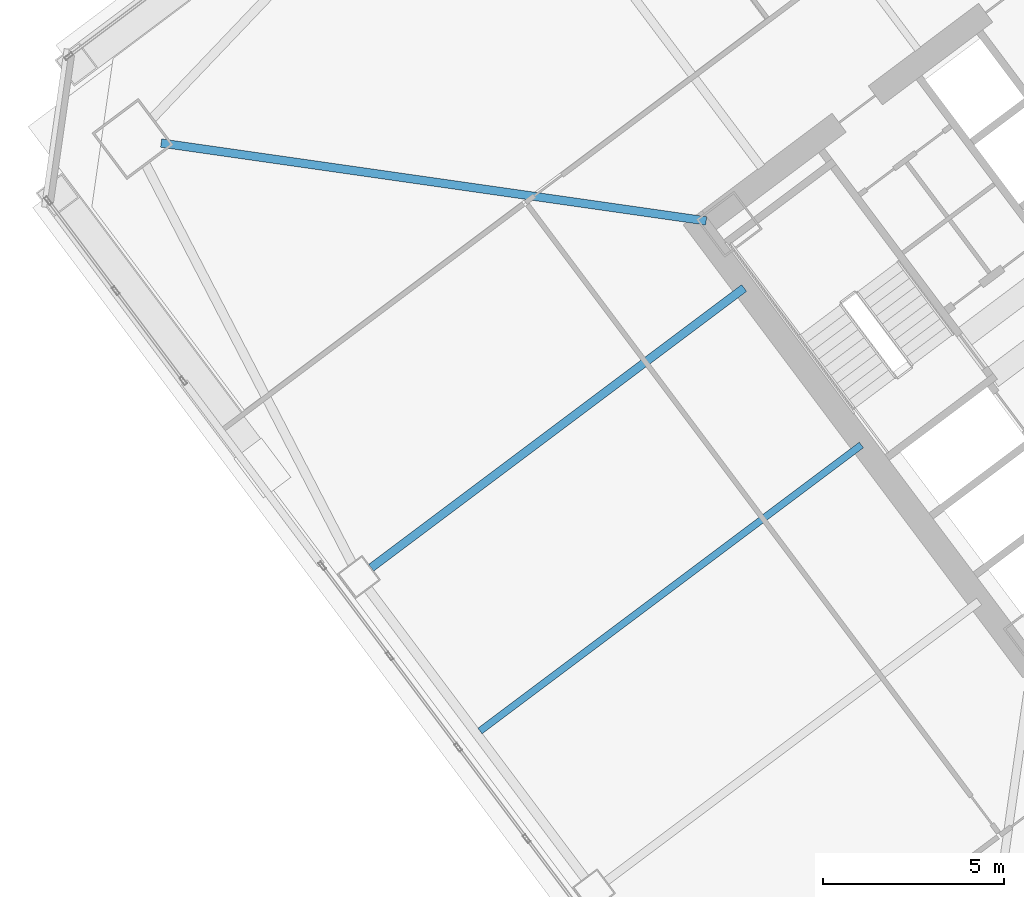
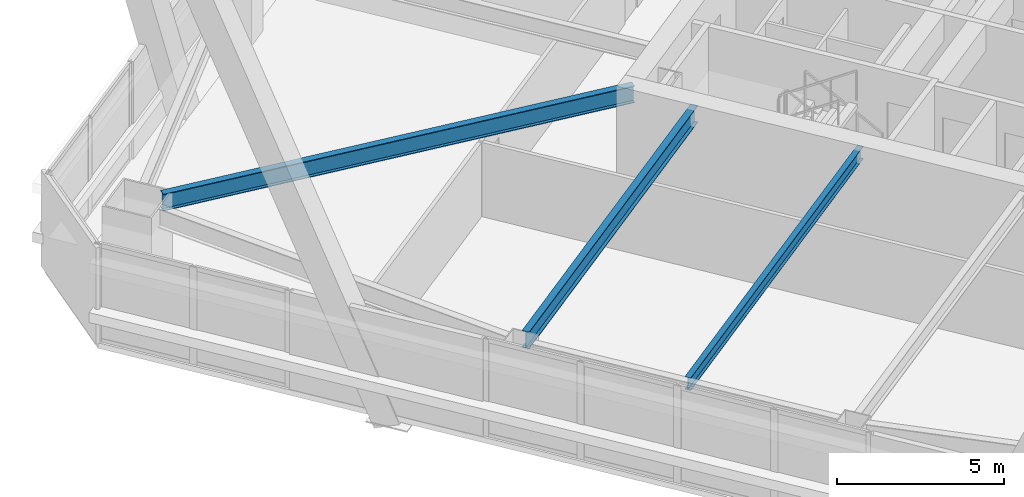
# One storey, part 39 of 75: 3 beams.
"""IFC4 building model written with IfcOpenShell, lengths in metres."""

from ifc_helpers import new_model, si_unit, direction, frame, origin, origin_2d, place, context, subcontext, project, spatial, i_section, extrude, material, material_profile, profile_set, type_object, element, save


model = new_model("IFC4")

# Units and contexts
model_context = context("Model", 3, precision=1e-05, world=origin(), true_north=direction((0.0, 1.0)))
body_context = subcontext(model_context, "Body", "Model", "MODEL_VIEW")
ifc_project = project(units=[si_unit("LENGTHUNIT", "METRE"), si_unit("AREAUNIT", "SQUARE_METRE"), si_unit("VOLUMEUNIT", "CUBIC_METRE"), si_unit("PLANEANGLEUNIT", "RADIAN"), si_unit("MASSUNIT", "GRAM", prefix="KILO")], contexts=[model_context])

# Site, building, storey
site_placement = place(None, origin())
site = spatial("IfcSite", under=ifc_project, at=site_placement, CompositionType="ELEMENT")
building_placement = place(site_placement, origin())
building = spatial("IfcBuilding", under=site, at=building_placement, Name="Tashvorn Skyway Center", CompositionType="ELEMENT")
storey_placement = place(building_placement, frame((0.0, 0.0, 45.89990234375)))
storey = spatial("IfcBuildingStorey", under=building, at=storey_placement, Name="L11", CompositionType="ELEMENT", Elevation=45.89990234375)

# Beams
ifc_material = material(Name="Steel ASTM A992 Grade 50", Category="steel")
ifc_material_profile_1 = material_profile(ifc_material, i_section(OverallWidth=0.22998046875, OverallDepth=0.616943359375, WebThickness=0.01318359375, FlangeThickness=0.022216796875, at=origin_2d()), Name="W24X94")
ifc_profile_set_1 = profile_set([ifc_material_profile_1], Name="Steel ASTM A992 Grade 50")
beam_type_1 = type_object("IfcBeamType", Name="BM-BEAM-W24X94", PredefinedType="BEAM", material=ifc_profile_set_1)
beam_1_placement = place(storey_placement, frame((88.467041015625, 35.6474609375, 3.04150390625), z_axis=(0.989950458816, -0.141414599991, 0.0), x_axis=(0.141414599991, 0.989950458816, 0.0)))
element("IfcBeam", 1, at=beam_1_placement, inside=storey, type_object=beam_type_1, Name="Tower 2 L11 Primary Floor Girder MC-NW", PredefinedType="BEAM", context=body_context, shape_type="SweptSolid", body=[
    extrude(i_section(OverallWidth=0.22998046875, OverallDepth=0.616943359375, WebThickness=0.01318359375, FlangeThickness=0.022216796875, at=origin_2d()), origin(), (0.0, 0.0, 1.0), 15.177001953125),
])
beam_2_placement = place(storey_placement, frame((94.256103515625, 23.94189453125, 3.04150390625), z_axis=(0.799986320265, 0.600018239213, 0.0), x_axis=(-0.600018239213, 0.799986320265, 0.0)))
element("IfcBeam", 2, at=beam_2_placement, inside=storey, type_object=beam_type_1, Name="Tower 2 L11 Primary Floor Girder FC-W1", PredefinedType="BEAM", context=body_context, shape_type="SweptSolid", body=[
    extrude(i_section(OverallWidth=0.22998046875, OverallDepth=0.616943359375, WebThickness=0.01318359375, FlangeThickness=0.022216796875, at=origin_2d()), origin(), (0.0, 0.0, 1.0), 12.849853515625),
])
ifc_material_profile_2 = material_profile(ifc_material, i_section(OverallWidth=0.19091796875, OverallDepth=0.4599609375, WebThickness=0.010009765625, FlangeThickness=0.01611328125, at=origin_2d()), Name="W18X55")
ifc_profile_set_2 = profile_set([ifc_material_profile_2], Name="Steel ASTM A992 Grade 50")
beam_type_2 = type_object("IfcBeamType", Name="BM-JOIST-W18X55", PredefinedType="JOIST", material=ifc_profile_set_2)
beam_3_placement = place(storey_placement, frame((107.76806640625, 27.325927734375, 3.1201171875), z_axis=(-0.799997770398, -0.600002972791, 0.0), x_axis=(0.600002972791, -0.799997770398, 0.0)))
element("IfcBeam", 3, at=beam_3_placement, inside=storey, type_object=beam_type_2, Name="Tower 2 L11 Secondary Composite Joist JW", PredefinedType="JOIST", context=body_context, shape_type="SweptSolid", body=[
    extrude(i_section(OverallWidth=0.19091796875, OverallDepth=0.4599609375, WebThickness=0.010009765625, FlangeThickness=0.01611328125, at=origin_2d()), origin(), (0.0, 0.0, 1.0), 13.139892578125),
])

save(model, "model.ifc")
